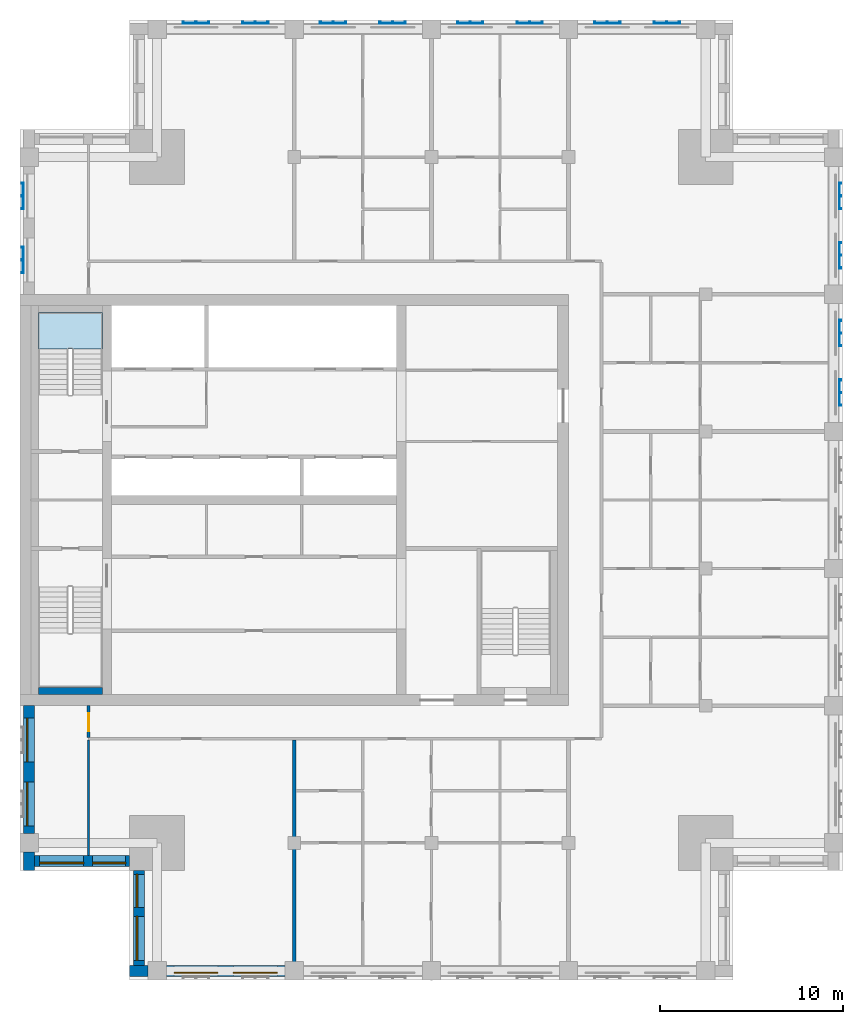
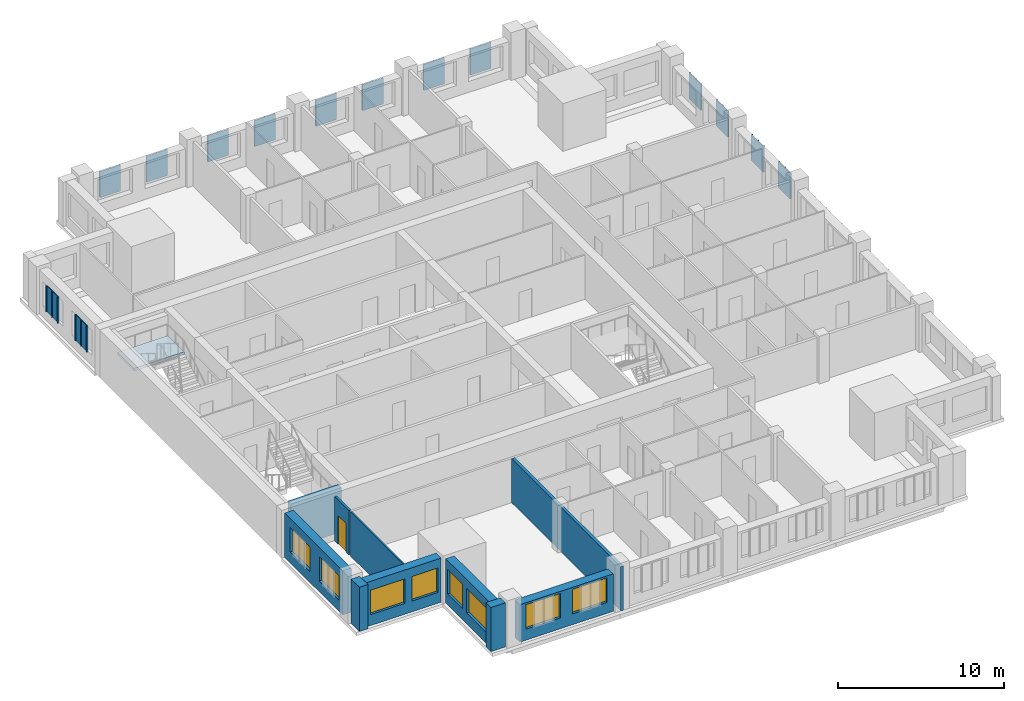
# One storey, part 2 of 10: 14 plates, 10 walls, 8 windows, 1 door, 1 slab, 9 openings, 1 element without a shape of its own.
"""IFC4 building model written with IfcOpenShell, lengths in metres."""

from ifc_helpers import new_model, si_unit, direction, frame, frame_2d, origin, place, context, subcontext, project, spatial, polyline, rectangle, outline, extrude, material, layer, layer_set, type_object, element, fill, aggregate, save


model = new_model("IFC4")

# Units and contexts
model_context = context("Model", 3, precision=1e-05, world=origin(), true_north=direction((0.0, 1.0)))
body_context = subcontext(model_context, "Body", "Model", "MODEL_VIEW")
ifc_project = project(units=[si_unit("LENGTHUNIT", "METRE"), si_unit("AREAUNIT", "SQUARE_METRE"), si_unit("VOLUMEUNIT", "CUBIC_METRE"), si_unit("PLANEANGLEUNIT", "RADIAN"), si_unit("MASSUNIT", "GRAM", prefix="KILO")], contexts=[model_context])

# Site, building, storey
site_placement = place(None, origin())
site = spatial("IfcSite", under=ifc_project, at=site_placement, CompositionType="ELEMENT")
building_placement = place(site_placement, origin())
building = spatial("IfcBuilding", under=site, at=building_placement, Name="Tamorin Gate", CompositionType="ELEMENT")
storey_placement = place(building_placement, frame((0.0, 0.0, 273.199951171875)))
storey = spatial("IfcBuildingStorey", under=building, at=storey_placement, Name="L68", CompositionType="ELEMENT", Elevation=273.199951171875)

# Stair, slab
ifc_material_1 = material(Name="Concrete C40/50", Category="concrete")
stair_type = type_object("IfcStairType", Name="Exit stair", PredefinedType="HALF_TURN_STAIR", material=ifc_material_1)
stair_placement = place(storey_placement, origin())
stair = element("IfcStair", 1, at=stair_placement, inside=storey, type_object=stair_type, Name="L68 stair ST2", PredefinedType="HALF_TURN_STAIR")
ifc_layer_1 = layer(ifc_material_1, 0.199951171875)
ifc_layer_set_1 = layer_set([ifc_layer_1], Name="Exit stair landing 200")
slab_type = type_object("IfcSlabType", Name="Exit stair landing 200", PredefinedType="LANDING", material=ifc_layer_set_1)
slab_placement = place(storey_placement, frame((0.0, 0.0, 1.550048828125)))
slab = element("IfcSlab", 2, at=slab_placement, type_object=slab_type, Name="ST2 landing 1", PredefinedType="LANDING", context=body_context, shape_type="SweptSolid", body=[
    extrude(outline(polyline([(34.5, 79.52001953125), (34.5, 81.5), (31.0, 81.5), (31.0, 79.52001953125), (34.5, 79.52001953125)])), origin(), (0.0, 0.0, 1.0), 0.199951171875),
])
aggregate(stair, [slab])

# Plates
ifc_material_2 = material(Name="Perforated pale aluminium sheet", Category="aluminium")
ifc_layer_2 = layer(ifc_material_2, 0.0400390625)
ifc_layer_set_2 = layer_set([ifc_layer_2], Name="Pale metal solar screen 1440")
plate_type = type_object("IfcPlateType", Name="Pale metal solar screen 1440", PredefinedType="SHEET", material=ifc_layer_set_2)
plate_1_placement = place(storey_placement, frame((0.0, 0.0, 0.737548828125)))
element("IfcPlate", 3, at=plate_1_placement, inside=storey, type_object=plate_type, Name="Perforated solar screen", PredefinedType="SHEET", context=body_context, shape_type="SweptSolid", body=[
    extrude(outline(polyline([(74.840087890625, 76.405029296875), (74.800048828125, 76.405029296875), (74.800048828125, 76.465087890625), (74.800048828125, 77.094970703125), (74.800048828125, 77.155029296875), (74.800048828125, 77.784912109375), (74.800048828125, 77.844970703125), (74.840087890625, 77.844970703125), (74.89990234375, 77.844970703125), (74.89990234375, 77.784912109375), (74.840087890625, 77.784912109375), (74.840087890625, 77.155029296875), (74.89990234375, 77.155029296875), (74.89990234375, 77.094970703125), (74.840087890625, 77.094970703125), (74.840087890625, 76.465087890625), (74.89990234375, 76.465087890625), (74.89990234375, 76.405029296875), (74.840087890625, 76.405029296875)])), origin(), (0.0, 0.0, 1.0), 1.925048828125),
])
plate_2_placement = place(storey_placement, frame((0.0, 0.0, 0.737548828125)))
element("IfcPlate", 4, at=plate_2_placement, inside=storey, type_object=plate_type, Name="Perforated solar screen", PredefinedType="SHEET", context=body_context, shape_type="SweptSolid", body=[
    extrude(outline(polyline([(74.840087890625, 79.655029296875), (74.800048828125, 79.655029296875), (74.800048828125, 79.715087890625), (74.800048828125, 80.344970703125), (74.800048828125, 80.405029296875), (74.800048828125, 81.034912109375), (74.800048828125, 81.094970703125), (74.840087890625, 81.094970703125), (74.89990234375, 81.094970703125), (74.89990234375, 81.034912109375), (74.840087890625, 81.034912109375), (74.840087890625, 80.405029296875), (74.89990234375, 80.405029296875), (74.89990234375, 80.344970703125), (74.840087890625, 80.344970703125), (74.840087890625, 79.715087890625), (74.89990234375, 79.715087890625), (74.89990234375, 79.655029296875), (74.840087890625, 79.655029296875)])), origin(), (0.0, 0.0, 1.0), 1.925048828125),
])
plate_3_placement = place(storey_placement, frame((0.0, 0.0, 0.737548828125)))
element("IfcPlate", 5, at=plate_3_placement, inside=storey, type_object=plate_type, Name="Perforated solar screen", PredefinedType="SHEET", context=body_context, shape_type="SweptSolid", body=[
    extrude(outline(polyline([(74.840087890625, 83.905029296875), (74.800048828125, 83.905029296875), (74.800048828125, 83.965087890625), (74.800048828125, 84.594970703125), (74.800048828125, 84.655029296875), (74.800048828125, 85.284912109375), (74.800048828125, 85.344970703125), (74.840087890625, 85.344970703125), (74.89990234375, 85.344970703125), (74.89990234375, 85.284912109375), (74.840087890625, 85.284912109375), (74.840087890625, 84.655029296875), (74.89990234375, 84.655029296875), (74.89990234375, 84.594970703125), (74.840087890625, 84.594970703125), (74.840087890625, 83.965087890625), (74.89990234375, 83.965087890625), (74.89990234375, 83.905029296875), (74.840087890625, 83.905029296875)])), origin(), (0.0, 0.0, 1.0), 1.925048828125),
])
plate_4_placement = place(storey_placement, frame((0.0, 0.0, 0.737548828125)))
element("IfcPlate", 6, at=plate_4_placement, inside=storey, type_object=plate_type, Name="Perforated solar screen", PredefinedType="SHEET", context=body_context, shape_type="SweptSolid", body=[
    extrude(outline(polyline([(74.840087890625, 87.155029296875), (74.800048828125, 87.155029296875), (74.800048828125, 87.215087890625), (74.800048828125, 87.844970703125), (74.800048828125, 87.905029296875), (74.800048828125, 88.534912109375), (74.800048828125, 88.594970703125), (74.840087890625, 88.594970703125), (74.89990234375, 88.594970703125), (74.89990234375, 88.534912109375), (74.840087890625, 88.534912109375), (74.840087890625, 87.905029296875), (74.89990234375, 87.905029296875), (74.89990234375, 87.844970703125), (74.840087890625, 87.844970703125), (74.840087890625, 87.215087890625), (74.89990234375, 87.215087890625), (74.89990234375, 87.155029296875), (74.840087890625, 87.155029296875)])), origin(), (0.0, 0.0, 1.0), 1.925048828125),
])
plate_5_placement = place(storey_placement, frame((0.0, 0.0, 0.737548828125)))
element("IfcPlate", 7, at=plate_5_placement, inside=storey, type_object=plate_type, Name="Perforated solar screen", PredefinedType="SHEET", context=body_context, shape_type="SweptSolid", body=[
    extrude(outline(polyline([(62.844970703125, 97.340087890625), (62.844970703125, 97.300048828125), (62.784912109375, 97.300048828125), (62.155029296875, 97.300048828125), (62.094970703125, 97.300048828125), (61.465087890625, 97.300048828125), (61.405029296875, 97.300048828125), (61.405029296875, 97.300048828125), (61.405029296875, 97.340087890625), (61.405029296875, 97.340087890625), (61.405029296875, 97.39990234375), (61.465087890625, 97.39990234375), (61.465087890625, 97.340087890625), (62.094970703125, 97.340087890625), (62.094970703125, 97.39990234375), (62.155029296875, 97.39990234375), (62.155029296875, 97.340087890625), (62.784912109375, 97.340087890625), (62.784912109375, 97.39990234375), (62.844970703125, 97.39990234375), (62.844970703125, 97.340087890625)])), origin(), (0.0, 0.0, 1.0), 1.925048828125),
])
plate_6_placement = place(storey_placement, frame((0.0, 0.0, 0.737548828125)))
element("IfcPlate", 8, at=plate_6_placement, inside=storey, type_object=plate_type, Name="Perforated solar screen", PredefinedType="SHEET", context=body_context, shape_type="SweptSolid", body=[
    extrude(outline(polyline([(66.094970703125, 97.340087890625), (66.094970703125, 97.300048828125), (66.034912109375, 97.300048828125), (65.405029296875, 97.300048828125), (65.344970703125, 97.300048828125), (64.715087890625, 97.300048828125), (64.655029296875, 97.300048828125), (64.655029296875, 97.300048828125), (64.655029296875, 97.340087890625), (64.655029296875, 97.340087890625), (64.655029296875, 97.39990234375), (64.715087890625, 97.39990234375), (64.715087890625, 97.340087890625), (65.344970703125, 97.340087890625), (65.344970703125, 97.39990234375), (65.405029296875, 97.39990234375), (65.405029296875, 97.340087890625), (66.034912109375, 97.340087890625), (66.034912109375, 97.39990234375), (66.094970703125, 97.39990234375), (66.094970703125, 97.340087890625)])), origin(), (0.0, 0.0, 1.0), 1.925048828125),
])
plate_7_placement = place(storey_placement, frame((0.0, 0.0, 0.737548828125)))
element("IfcPlate", 9, at=plate_7_placement, inside=storey, type_object=plate_type, Name="Perforated solar screen", PredefinedType="SHEET", context=body_context, shape_type="SweptSolid", body=[
    extrude(outline(polyline([(55.344970703125, 97.340087890625), (55.344970703125, 97.300048828125), (55.284912109375, 97.300048828125), (54.655029296875, 97.300048828125), (54.594970703125, 97.300048828125), (53.965087890625, 97.300048828125), (53.905029296875, 97.300048828125), (53.905029296875, 97.340087890625), (53.905029296875, 97.39990234375), (53.965087890625, 97.39990234375), (53.965087890625, 97.340087890625), (54.594970703125, 97.340087890625), (54.594970703125, 97.39990234375), (54.655029296875, 97.39990234375), (54.655029296875, 97.340087890625), (55.284912109375, 97.340087890625), (55.284912109375, 97.39990234375), (55.344970703125, 97.39990234375), (55.344970703125, 97.340087890625)])), origin(), (0.0, 0.0, 1.0), 1.925048828125),
])
plate_8_placement = place(storey_placement, frame((0.0, 0.0, 0.737548828125)))
element("IfcPlate", 10, at=plate_8_placement, inside=storey, type_object=plate_type, Name="Perforated solar screen", PredefinedType="SHEET", context=body_context, shape_type="SweptSolid", body=[
    extrude(outline(polyline([(58.594970703125, 97.340087890625), (58.594970703125, 97.300048828125), (58.534912109375, 97.300048828125), (57.905029296875, 97.300048828125), (57.844970703125, 97.300048828125), (57.215087890625, 97.300048828125), (57.155029296875, 97.300048828125), (57.155029296875, 97.340087890625), (57.155029296875, 97.39990234375), (57.215087890625, 97.39990234375), (57.215087890625, 97.340087890625), (57.844970703125, 97.340087890625), (57.844970703125, 97.39990234375), (57.905029296875, 97.39990234375), (57.905029296875, 97.340087890625), (58.534912109375, 97.340087890625), (58.534912109375, 97.39990234375), (58.594970703125, 97.39990234375), (58.594970703125, 97.340087890625)])), origin(), (0.0, 0.0, 1.0), 1.925048828125),
])
plate_9_placement = place(storey_placement, frame((0.0, 0.0, 0.737548828125)))
element("IfcPlate", 11, at=plate_9_placement, inside=storey, type_object=plate_type, Name="Perforated solar screen", PredefinedType="SHEET", context=body_context, shape_type="SweptSolid", body=[
    extrude(outline(polyline([(47.844970703125, 97.340087890625), (47.844970703125, 97.300048828125), (47.784912109375, 97.300048828125), (47.155029296875, 97.300048828125), (47.094970703125, 97.300048828125), (46.465087890625, 97.300048828125), (46.405029296875, 97.300048828125), (46.405029296875, 97.340087890625), (46.405029296875, 97.39990234375), (46.465087890625, 97.39990234375), (46.465087890625, 97.340087890625), (47.094970703125, 97.340087890625), (47.094970703125, 97.39990234375), (47.155029296875, 97.39990234375), (47.155029296875, 97.340087890625), (47.784912109375, 97.340087890625), (47.784912109375, 97.39990234375), (47.844970703125, 97.39990234375), (47.844970703125, 97.340087890625)])), origin(), (0.0, 0.0, 1.0), 1.925048828125),
])
plate_10_placement = place(storey_placement, frame((0.0, 0.0, 0.737548828125)))
element("IfcPlate", 12, at=plate_10_placement, inside=storey, type_object=plate_type, Name="Perforated solar screen", PredefinedType="SHEET", context=body_context, shape_type="SweptSolid", body=[
    extrude(outline(polyline([(51.094970703125, 97.340087890625), (51.094970703125, 97.300048828125), (51.034912109375, 97.300048828125), (50.405029296875, 97.300048828125), (50.344970703125, 97.300048828125), (49.715087890625, 97.300048828125), (49.655029296875, 97.300048828125), (49.655029296875, 97.340087890625), (49.655029296875, 97.39990234375), (49.715087890625, 97.39990234375), (49.715087890625, 97.340087890625), (50.344970703125, 97.340087890625), (50.344970703125, 97.39990234375), (50.405029296875, 97.39990234375), (50.405029296875, 97.340087890625), (51.034912109375, 97.340087890625), (51.034912109375, 97.39990234375), (51.094970703125, 97.39990234375), (51.094970703125, 97.340087890625)])), origin(), (0.0, 0.0, 1.0), 1.925048828125),
])
plate_11_placement = place(storey_placement, frame((0.0, 0.0, 0.737548828125)))
element("IfcPlate", 13, at=plate_11_placement, inside=storey, type_object=plate_type, Name="Perforated solar screen", PredefinedType="SHEET", context=body_context, shape_type="SweptSolid", body=[
    extrude(outline(polyline([(40.344970703125, 97.340087890625), (40.344970703125, 97.300048828125), (40.284912109375, 97.300048828125), (39.655029296875, 97.300048828125), (39.594970703125, 97.300048828125), (38.965087890625, 97.300048828125), (38.905029296875, 97.300048828125), (38.905029296875, 97.340087890625), (38.905029296875, 97.39990234375), (38.965087890625, 97.39990234375), (38.965087890625, 97.340087890625), (39.594970703125, 97.340087890625), (39.594970703125, 97.39990234375), (39.655029296875, 97.39990234375), (39.655029296875, 97.340087890625), (40.284912109375, 97.340087890625), (40.284912109375, 97.39990234375), (40.344970703125, 97.39990234375), (40.344970703125, 97.340087890625)])), origin(), (0.0, 0.0, 1.0), 1.925048828125),
])
plate_12_placement = place(storey_placement, frame((0.0, 0.0, 0.737548828125)))
element("IfcPlate", 14, at=plate_12_placement, inside=storey, type_object=plate_type, Name="Perforated solar screen", PredefinedType="SHEET", context=body_context, shape_type="SweptSolid", body=[
    extrude(outline(polyline([(43.594970703125, 97.340087890625), (43.594970703125, 97.300048828125), (43.534912109375, 97.300048828125), (42.905029296875, 97.300048828125), (42.844970703125, 97.300048828125), (42.215087890625, 97.300048828125), (42.155029296875, 97.300048828125), (42.155029296875, 97.340087890625), (42.155029296875, 97.39990234375), (42.215087890625, 97.39990234375), (42.215087890625, 97.340087890625), (42.844970703125, 97.340087890625), (42.844970703125, 97.39990234375), (42.905029296875, 97.39990234375), (42.905029296875, 97.340087890625), (43.534912109375, 97.340087890625), (43.534912109375, 97.39990234375), (43.594970703125, 97.39990234375), (43.594970703125, 97.340087890625)])), origin(), (0.0, 0.0, 1.0), 1.925048828125),
])
plate_13_placement = place(storey_placement, frame((0.0, 0.0, 0.737548828125)))
element("IfcPlate", 15, at=plate_13_placement, inside=storey, type_object=plate_type, Name="Perforated solar screen", PredefinedType="SHEET", context=body_context, shape_type="SweptSolid", body=[
    extrude(outline(polyline([(30.159912109375, 85.094970703125), (30.199951171875, 85.094970703125), (30.199951171875, 85.034912109375), (30.199951171875, 84.405029296875), (30.199951171875, 84.344970703125), (30.199951171875, 83.715087890625), (30.199951171875, 83.655029296875), (30.199951171875, 83.655029296875), (30.159912109375, 83.655029296875), (30.159912109375, 83.655029296875), (30.10009765625, 83.655029296875), (30.10009765625, 83.715087890625), (30.159912109375, 83.715087890625), (30.159912109375, 84.344970703125), (30.10009765625, 84.344970703125), (30.10009765625, 84.405029296875), (30.159912109375, 84.405029296875), (30.159912109375, 85.034912109375), (30.10009765625, 85.034912109375), (30.10009765625, 85.094970703125), (30.159912109375, 85.094970703125)])), origin(), (0.0, 0.0, 1.0), 1.925048828125),
])
plate_14_placement = place(storey_placement, frame((0.0, 0.0, 0.737548828125)))
element("IfcPlate", 16, at=plate_14_placement, inside=storey, type_object=plate_type, Name="Perforated solar screen", PredefinedType="SHEET", context=body_context, shape_type="SweptSolid", body=[
    extrude(outline(polyline([(30.159912109375, 88.594970703125), (30.199951171875, 88.594970703125), (30.199951171875, 88.534912109375), (30.199951171875, 87.905029296875), (30.199951171875, 87.844970703125), (30.199951171875, 87.215087890625), (30.199951171875, 87.155029296875), (30.199951171875, 87.155029296875), (30.159912109375, 87.155029296875), (30.159912109375, 87.155029296875), (30.10009765625, 87.155029296875), (30.10009765625, 87.215087890625), (30.159912109375, 87.215087890625), (30.159912109375, 87.844970703125), (30.10009765625, 87.844970703125), (30.10009765625, 87.905029296875), (30.159912109375, 87.905029296875), (30.159912109375, 88.534912109375), (30.10009765625, 88.534912109375), (30.10009765625, 88.594970703125), (30.159912109375, 88.594970703125)])), origin(), (0.0, 0.0, 1.0), 1.925048828125),
])

# Wall
ifc_material_3 = material(Name="Precast concrete C40/50", Category="concrete")
ifc_layer_3 = layer(ifc_material_3, 0.60009765625)
ifc_layer_set_3 = layer_set([ifc_layer_3], Name="Precast concrete C40/50")
wall_type_1 = type_object("IfcWallType", Name="Board-marked concrete facade panel 600", PredefinedType="SOLIDWALL", material=ifc_layer_set_3)
wall_1_placement = place(storey_placement, frame((36.0, 45.5, 0.0), z_axis=(0.0, 0.0, 1.0), x_axis=(1.0, 0.0, 0.0)))
element("IfcWall", 17, at=wall_1_placement, inside=storey, type_object=wall_type_1, Name="Facade panel", PredefinedType="SOLIDWALL", context=body_context, shape_type="SweptSolid", body=[
    extrude(rectangle(XDim=1.0, YDim=0.60009765625, at=frame_2d((0.5, 0.0))), origin(), (0.0, 0.0, 1.0), 3.25),
])

# Wall, openings, windows
wall_2_placement = place(storey_placement, frame((38.0, 45.5, 0.0), z_axis=(0.0, 0.0, 1.0), x_axis=(1.0, 0.0, 0.0)))
wall_2 = element("IfcWall", 18, at=wall_2_placement, inside=storey, type_object=wall_type_1, Name="Facade panel", PredefinedType="SOLIDWALL", context=body_context, shape_type="SweptSolid", body=[
    extrude(rectangle(XDim=6.5, YDim=0.60009765625, at=frame_2d((3.25, 0.0))), origin(), (0.0, 0.0, 1.0), 2.75),
])
opening_1_placement = place(wall_2_placement, frame((0.425048828125, 0.0, 0.800048828125)))
opening_1 = element("IfcOpeningElement", 19, at=opening_1_placement, cuts=wall_2, Name="Opening WN1", PredefinedType="OPENING", context=body_context, shape_type="SweptSolid", body=[
    extrude(rectangle(XDim=2.39990234375, YDim=1.800048828125, at=frame_2d((1.199951171875, 0.89990234375))), frame((0.0, 0.31005859375, 0.0), z_axis=(0.0, -1.0, 0.0), x_axis=(1.0, 0.0, 0.0)), (0.0, 0.0, 1.0), 0.6201171875),
])
opening_2_placement = place(wall_2_placement, frame((3.675048828125, 0.0, 0.800048828125)))
opening_2 = element("IfcOpeningElement", 20, at=opening_2_placement, cuts=wall_2, Name="Opening WN1", PredefinedType="OPENING", context=body_context, shape_type="SweptSolid", body=[
    extrude(rectangle(XDim=2.39990234375, YDim=1.800048828125, at=frame_2d((1.199951171875, 0.89990234375))), frame((0.0, 0.31005859375, 0.0), z_axis=(0.0, -1.0, 0.0), x_axis=(1.0, 0.0, 0.0)), (0.0, 0.0, 1.0), 0.6201171875),
])
ifc_material_4 = material(Name="Clear glass in aluminium frame", Category="aluminium")
window_type_1 = type_object("IfcWindowType", Name="Deep-set window 2400x1800", PartitioningType="SINGLE_PANEL", PredefinedType="WINDOW", material=ifc_material_4)
window_1_placement = place(opening_1_placement, origin())
window_1 = element("IfcWindow", 21, at=window_1_placement, inside=storey, type_object=window_type_1, Name="Deep-set window", OverallHeight=1.800048828125, OverallWidth=2.39990234375, PartitioningType="SINGLE_PANEL", PredefinedType="WINDOW", context=body_context, shape_type="SweptSolid", body=[
    extrude(rectangle(XDim=2.39990234375, YDim=1.800048828125, at=frame_2d((1.199951171875, 0.89990234375))), frame((0.0, -0.070068359375, 0.0), z_axis=(0.0, -1.0, 0.0), x_axis=(1.0, 0.0, 0.0)), (0.0, 0.0, 1.0), 0.06005859375),
])
fill(opening_1, window_1)
window_2_placement = place(opening_2_placement, origin())
window_2 = element("IfcWindow", 22, at=window_2_placement, inside=storey, type_object=window_type_1, Name="Deep-set window", OverallHeight=1.800048828125, OverallWidth=2.39990234375, PartitioningType="SINGLE_PANEL", PredefinedType="WINDOW", context=body_context, shape_type="SweptSolid", body=[
    extrude(rectangle(XDim=2.39990234375, YDim=1.800048828125, at=frame_2d((1.199951171875, 0.89990234375))), frame((0.0, -0.070068359375, 0.0), z_axis=(0.0, -1.0, 0.0), x_axis=(1.0, 0.0, 0.0)), (0.0, 0.0, 1.0), 0.06005859375),
])
fill(opening_2, window_2)

wall_3_placement = place(storey_placement, frame((30.5, 60.0, 0.0), z_axis=(0.0, 0.0, 1.0), x_axis=(0.0, -1.0, 0.0)))
wall_3 = element("IfcWall", 23, at=wall_3_placement, inside=storey, type_object=wall_type_1, Name="Facade panel", PredefinedType="SOLIDWALL", context=body_context, shape_type="SweptSolid", body=[
    extrude(rectangle(XDim=7.0, YDim=0.60009765625, at=frame_2d((3.5, 0.0))), origin(), (0.0, 0.0, 1.0), 3.25),
])
opening_3_placement = place(wall_3_placement, frame((4.175048828125, 0.0, 0.800048828125)))
opening_3 = element("IfcOpeningElement", 24, at=opening_3_placement, cuts=wall_3, Name="Opening WN1", PredefinedType="OPENING", context=body_context, shape_type="SweptSolid", body=[
    extrude(rectangle(XDim=2.39990234375, YDim=1.800048828125, at=frame_2d((1.199951171875, 0.89990234375))), frame((0.0, 0.31005859375, 0.0), z_axis=(0.0, -1.0, 0.0), x_axis=(1.0, 0.0, 0.0)), (0.0, 0.0, 1.0), 0.6201171875),
])
opening_4_placement = place(wall_3_placement, frame((0.675048828125, 0.0, 0.800048828125)))
opening_4 = element("IfcOpeningElement", 25, at=opening_4_placement, cuts=wall_3, Name="Opening WN1", PredefinedType="OPENING", context=body_context, shape_type="SweptSolid", body=[
    extrude(rectangle(XDim=2.39990234375, YDim=1.800048828125, at=frame_2d((1.199951171875, 0.89990234375))), frame((0.0, 0.31005859375, 0.0), z_axis=(0.0, -1.0, 0.0), x_axis=(1.0, 0.0, 0.0)), (0.0, 0.0, 1.0), 0.6201171875),
])
window_3_placement = place(opening_3_placement, origin())
window_3 = element("IfcWindow", 26, at=window_3_placement, inside=storey, type_object=window_type_1, Name="Deep-set window", OverallHeight=1.800048828125, OverallWidth=2.39990234375, PartitioningType="SINGLE_PANEL", PredefinedType="WINDOW", context=body_context, shape_type="SweptSolid", body=[
    extrude(rectangle(XDim=2.39990234375, YDim=1.800048828125, at=frame_2d((1.199951171875, 0.89990234375))), frame((0.0, -0.070068359375, 0.0), z_axis=(0.0, -1.0, 0.0), x_axis=(1.0, 0.0, 0.0)), (0.0, 0.0, 1.0), 0.06005859375),
])
fill(opening_3, window_3)
window_4_placement = place(opening_4_placement, origin())
window_4 = element("IfcWindow", 27, at=window_4_placement, inside=storey, type_object=window_type_1, Name="Deep-set window", OverallHeight=1.800048828125, OverallWidth=2.39990234375, PartitioningType="SINGLE_PANEL", PredefinedType="WINDOW", context=body_context, shape_type="SweptSolid", body=[
    extrude(rectangle(XDim=2.39990234375, YDim=1.800048828125, at=frame_2d((1.199951171875, 0.89990234375))), frame((0.0, -0.070068359375, 0.0), z_axis=(0.0, -1.0, 0.0), x_axis=(1.0, 0.0, 0.0)), (0.0, 0.0, 1.0), 0.06005859375),
])
fill(opening_4, window_4)

# Wall
wall_4_placement = place(storey_placement, frame((30.5, 52.0, 0.0), z_axis=(0.0, 0.0, 1.0), x_axis=(0.0, -1.0, 0.0)))
element("IfcWall", 28, at=wall_4_placement, inside=storey, type_object=wall_type_1, Name="Facade panel", PredefinedType="SOLIDWALL", context=body_context, shape_type="SweptSolid", body=[
    extrude(rectangle(XDim=1.0, YDim=0.60009765625, at=frame_2d((0.5, 0.0))), origin(), (0.0, 0.0, 1.0), 3.25),
])

# Wall, openings, windows
wall_5_placement = place(storey_placement, frame((30.800048828125, 51.5, 0.0), z_axis=(0.0, 0.0, 1.0), x_axis=(1.0, 0.0, 0.0)))
wall_5 = element("IfcWall", 29, at=wall_5_placement, inside=storey, type_object=wall_type_1, Name="Facade panel", PredefinedType="SOLIDWALL", context=body_context, shape_type="SweptSolid", body=[
    extrude(rectangle(XDim=5.199951171875, YDim=0.60009765625, at=frame_2d((2.60009765625, 0.0))), origin(), (0.0, 0.0, 1.0), 3.25),
])
opening_5_placement = place(wall_5_placement, frame((0.27490234375, 0.0, 0.800048828125)))
opening_5 = element("IfcOpeningElement", 30, at=opening_5_placement, cuts=wall_5, Name="Opening WN1", PredefinedType="OPENING", context=body_context, shape_type="SweptSolid", body=[
    extrude(rectangle(XDim=2.39990234375, YDim=1.800048828125, at=frame_2d((1.199951171875, 0.89990234375))), frame((0.0, 0.31005859375, 0.0), z_axis=(0.0, -1.0, 0.0), x_axis=(1.0, 0.0, 0.0)), (0.0, 0.0, 1.0), 0.6201171875),
])
opening_6_placement = place(wall_5_placement, frame((3.175048828125, 0.0, 0.800048828125)))
opening_6 = element("IfcOpeningElement", 31, at=opening_6_placement, cuts=wall_5, Name="Opening WN2", PredefinedType="OPENING", context=body_context, shape_type="SweptSolid", body=[
    extrude(rectangle(XDim=1.800048828125, YDim=1.800048828125, at=frame_2d((0.89990234375, 0.89990234375))), frame((0.0, 0.31005859375, 0.0), z_axis=(0.0, -1.0, 0.0), x_axis=(1.0, 0.0, 0.0)), (0.0, 0.0, 1.0), 0.6201171875),
])
window_type_2 = type_object("IfcWindowType", Name="Deep-set window 1800x1800", PartitioningType="SINGLE_PANEL", PredefinedType="WINDOW", material=ifc_material_4)
window_5_placement = place(opening_6_placement, origin())
window_5 = element("IfcWindow", 32, at=window_5_placement, inside=storey, type_object=window_type_2, Name="Deep-set window", OverallHeight=1.800048828125, OverallWidth=1.800048828125, PartitioningType="SINGLE_PANEL", PredefinedType="WINDOW", context=body_context, shape_type="SweptSolid", body=[
    extrude(rectangle(XDim=1.800048828125, YDim=1.800048828125, at=frame_2d((0.89990234375, 0.89990234375))), frame((0.0, -0.070068359375, 0.0), z_axis=(0.0, -1.0, 0.0), x_axis=(1.0, 0.0, 0.0)), (0.0, 0.0, 1.0), 0.06005859375),
])
fill(opening_6, window_5)
window_6_placement = place(opening_5_placement, origin())
window_6 = element("IfcWindow", 33, at=window_6_placement, inside=storey, type_object=window_type_1, Name="Deep-set window", OverallHeight=1.800048828125, OverallWidth=2.39990234375, PartitioningType="SINGLE_PANEL", PredefinedType="WINDOW", context=body_context, shape_type="SweptSolid", body=[
    extrude(rectangle(XDim=2.39990234375, YDim=1.800048828125, at=frame_2d((1.199951171875, 0.89990234375))), frame((0.0, -0.070068359375, 0.0), z_axis=(0.0, -1.0, 0.0), x_axis=(1.0, 0.0, 0.0)), (0.0, 0.0, 1.0), 0.06005859375),
])
fill(opening_5, window_6)

wall_6_placement = place(storey_placement, frame((36.5, 51.0, 0.0), z_axis=(0.0, 0.0, 1.0), x_axis=(0.0, -1.0, 0.0)))
wall_6 = element("IfcWall", 34, at=wall_6_placement, inside=storey, type_object=wall_type_1, Name="Facade panel", PredefinedType="SOLIDWALL", context=body_context, shape_type="SweptSolid", body=[
    extrude(rectangle(XDim=5.199951171875, YDim=0.60009765625, at=frame_2d((2.60009765625, 0.0))), origin(), (0.0, 0.0, 1.0), 3.25),
])
opening_7_placement = place(wall_6_placement, frame((2.52490234375, 0.0, 0.800048828125)))
opening_7 = element("IfcOpeningElement", 35, at=opening_7_placement, cuts=wall_6, Name="Opening WN1", PredefinedType="OPENING", context=body_context, shape_type="SweptSolid", body=[
    extrude(rectangle(XDim=2.39990234375, YDim=1.800048828125, at=frame_2d((1.199951171875, 0.89990234375))), frame((0.0, 0.31005859375, 0.0), z_axis=(0.0, -1.0, 0.0), x_axis=(1.0, 0.0, 0.0)), (0.0, 0.0, 1.0), 0.6201171875),
])
opening_8_placement = place(wall_6_placement, frame((0.22509765625, 0.0, 0.800048828125)))
opening_8 = element("IfcOpeningElement", 36, at=opening_8_placement, cuts=wall_6, Name="Opening WN2", PredefinedType="OPENING", context=body_context, shape_type="SweptSolid", body=[
    extrude(rectangle(XDim=1.800048828125, YDim=1.800048828125, at=frame_2d((0.89990234375, 0.89990234375))), frame((0.0, 0.31005859375, 0.0), z_axis=(0.0, -1.0, 0.0), x_axis=(1.0, 0.0, 0.0)), (0.0, 0.0, 1.0), 0.6201171875),
])
window_7_placement = place(opening_8_placement, origin())
window_7 = element("IfcWindow", 37, at=window_7_placement, inside=storey, type_object=window_type_2, Name="Deep-set window", OverallHeight=1.800048828125, OverallWidth=1.800048828125, PartitioningType="SINGLE_PANEL", PredefinedType="WINDOW", context=body_context, shape_type="SweptSolid", body=[
    extrude(rectangle(XDim=1.800048828125, YDim=1.800048828125, at=frame_2d((0.89990234375, 0.89990234375))), frame((0.0, -0.070068359375, 0.0), z_axis=(0.0, -1.0, 0.0), x_axis=(1.0, 0.0, 0.0)), (0.0, 0.0, 1.0), 0.06005859375),
])
fill(opening_8, window_7)
window_8_placement = place(opening_7_placement, origin())
window_8 = element("IfcWindow", 38, at=window_8_placement, inside=storey, type_object=window_type_1, Name="Deep-set window", OverallHeight=1.800048828125, OverallWidth=2.39990234375, PartitioningType="SINGLE_PANEL", PredefinedType="WINDOW", context=body_context, shape_type="SweptSolid", body=[
    extrude(rectangle(XDim=2.39990234375, YDim=1.800048828125, at=frame_2d((1.199951171875, 0.89990234375))), frame((0.0, -0.070068359375, 0.0), z_axis=(0.0, -1.0, 0.0), x_axis=(1.0, 0.0, 0.0)), (0.0, 0.0, 1.0), 0.06005859375),
])
fill(opening_7, window_8)

# Wall, opening, door
ifc_material_5 = material(Name="Gypsum board partition")
ifc_layer_4 = layer(ifc_material_5, 0.14990234375)
ifc_layer_set_4 = layer_set([ifc_layer_4], Name="Corridor wall 150")
wall_type_2 = type_object("IfcWallType", Name="Corridor wall 150", PredefinedType="PARTITIONING", material=ifc_layer_set_4)
wall_7_placement = place(storey_placement, frame((33.75, 58.27490234375, 0.0), z_axis=(0.0, 0.0, 1.0), x_axis=(0.0, 1.0, 0.0)))
wall_7 = element("IfcWall", 39, at=wall_7_placement, inside=storey, type_object=wall_type_2, Name="Corridor wall 150", PredefinedType="PARTITIONING", context=body_context, shape_type="SweptSolid", body=[
    extrude(rectangle(XDim=1.72509765625, YDim=0.14990234375, at=frame_2d((0.862548828125, 0.0))), origin(), (0.0, 0.0, 1.0), 3.25),
])
opening_9_placement = place(wall_7_placement, frame((0.324951171875, 0.0, 0.0)))
opening_9 = element("IfcOpeningElement", 40, at=opening_9_placement, cuts=wall_7, Name="Opening DR10001", PredefinedType="OPENING", context=body_context, shape_type="SweptSolid", body=[
    extrude(rectangle(XDim=1.0, YDim=2.10009765625, at=frame_2d((0.5, 1.050048828125))), frame((0.0, 0.0849609375, 0.0), z_axis=(0.0, -1.0, 0.0), x_axis=(1.0, 0.0, 0.0)), (0.0, 0.0, 1.0), 0.169921875),
])
ifc_material_6 = material(Name="Timber door leaf", Category="wood")
door_type = type_object("IfcDoorType", Name="Door 1000 x 2100 FD30S", OperationType="NOTDEFINED", PredefinedType="DOOR", material=ifc_material_6)
door_placement = place(opening_9_placement, origin())
door = element("IfcDoor", 41, at=door_placement, inside=storey, type_object=door_type, Name="Door DR10001", OperationType="SINGLE_SWING_RIGHT", OverallHeight=2.10009765625, OverallWidth=1.0, PredefinedType="DOOR", context=body_context, shape_type="SweptSolid", body=[
    extrude(rectangle(XDim=1.0, YDim=2.10009765625, at=frame_2d((0.5, 1.050048828125))), frame((0.0, 0.02490234375, 0.0), z_axis=(0.0, -1.0, 0.0), x_axis=(1.0, 0.0, 0.0)), (0.0, 0.0, 1.0), 0.050048828125),
])
fill(opening_9, door)

# Walls
ifc_layer_5 = layer(ifc_material_5, 0.199951171875)
ifc_layer_set_5 = layer_set([ifc_layer_5], Name="Demising wall 200")
wall_type_3 = type_object("IfcWallType", Name="Demising wall 200", PredefinedType="PARTITIONING", material=ifc_layer_set_5)
wall_8_placement = place(storey_placement, frame((45.0, 45.0, 0.0), z_axis=(0.0, 0.0, 1.0), x_axis=(0.0, 1.0, 0.0)))
element("IfcWall", 42, at=wall_8_placement, inside=storey, type_object=wall_type_3, Name="Demising wall 200", PredefinedType="PARTITIONING", context=body_context, shape_type="SweptSolid", body=[
    extrude(rectangle(XDim=13.125, YDim=0.199951171875, at=frame_2d((6.5625, 0.0))), origin(), (0.0, 0.0, 1.0), 3.25),
])
ifc_layer_6 = layer(ifc_material_5, 0.10009765625)
ifc_layer_set_6 = layer_set([ifc_layer_6], Name="Room partition 100")
wall_type_4 = type_object("IfcWallType", Name="Room partition 100", PredefinedType="PARTITIONING", material=ifc_layer_set_6)
wall_9_placement = place(storey_placement, frame((33.75, 51.81005859375, 0.0), z_axis=(0.0, 0.0, 1.0), x_axis=(0.0, 1.0, 0.0)))
element("IfcWall", 43, at=wall_9_placement, inside=storey, type_object=wall_type_4, Name="Room partition 100", PredefinedType="PARTITIONING", context=body_context, shape_type="SweptSolid", body=[
    extrude(rectangle(XDim=6.31494140625, YDim=0.10009765625, at=frame_2d((3.157470703125, 0.0))), origin(), (0.0, 0.0, 1.0), 3.25),
])
ifc_material_7 = material(Name="Concrete C50/60", Category="concrete")
ifc_layer_7 = layer(ifc_material_7, 0.39990234375)
ifc_layer_set_7 = layer_set([ifc_layer_7], Name="Stair lining wall 400 EI 120 C50/60")
wall_type_5 = type_object("IfcWallType", Name="Stair lining wall 400 EI 120 C50/60", PredefinedType="SOLIDWALL", material=ifc_layer_set_7)
wall_10_placement = place(storey_placement, frame((31.0, 60.800048828125, 0.0), z_axis=(0.0, 0.0, 1.0), x_axis=(1.0, 0.0, 0.0)))
element("IfcWall", 44, at=wall_10_placement, inside=storey, type_object=wall_type_5, Name="Stair lining wall", PredefinedType="SOLIDWALL", context=body_context, shape_type="SweptSolid", body=[
    extrude(rectangle(XDim=3.5, YDim=0.39990234375, at=frame_2d((1.75, 0.0))), origin(), (0.0, 0.0, 1.0), 3.25),
])

save(model, "model.ifc")
